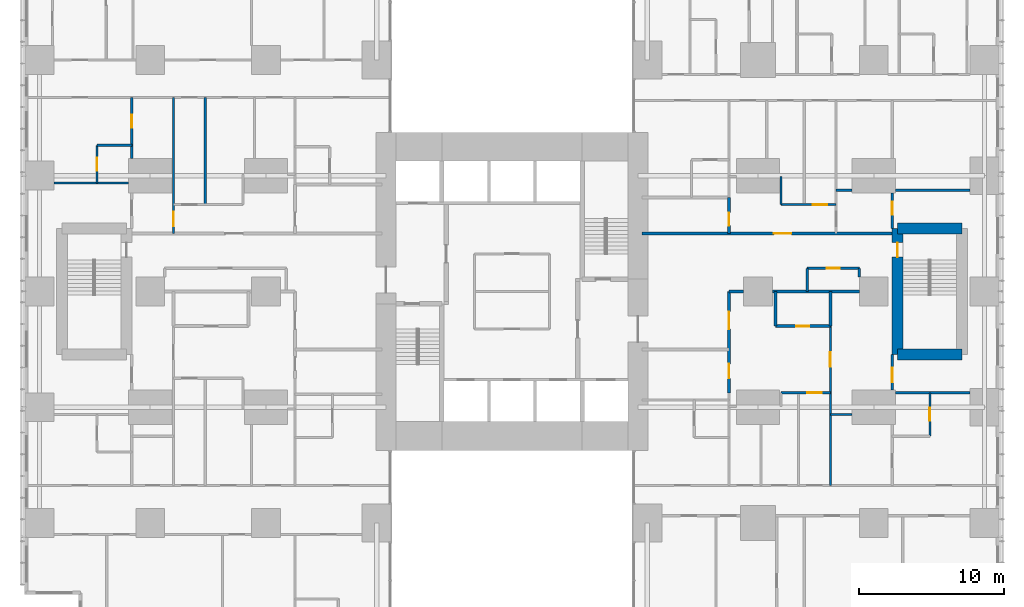
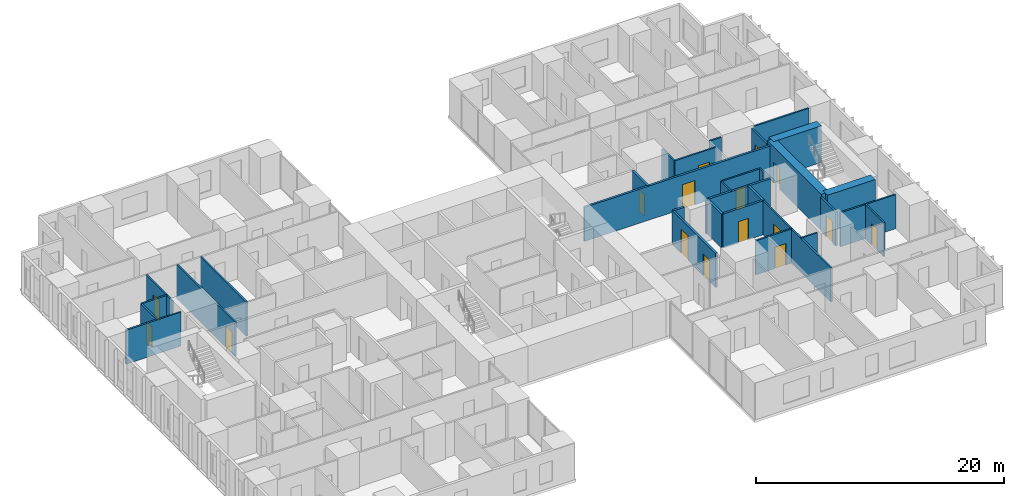
# One storey, part 16 of 21: 31 walls, 16 doors, 16 openings.
"""IFC4 building model written with IfcOpenShell, lengths in metres."""

from ifc_helpers import new_model, si_unit, direction, frame, frame_2d, origin, place, context, subcontext, project, spatial, rectangle, extrude, material, layer, layer_set, type_object, element, fill, save


model = new_model("IFC4")

# Units and contexts
model_context = context("Model", 3, precision=1e-05, world=origin(), true_north=direction((0.0, 1.0)))
body_context = subcontext(model_context, "Body", "Model", "MODEL_VIEW")
ifc_project = project(units=[si_unit("LENGTHUNIT", "METRE"), si_unit("AREAUNIT", "SQUARE_METRE"), si_unit("VOLUMEUNIT", "CUBIC_METRE"), si_unit("PLANEANGLEUNIT", "RADIAN"), si_unit("MASSUNIT", "GRAM", prefix="KILO")], contexts=[model_context])

# Site, building, storey
site_placement = place(None, origin())
site = spatial("IfcSite", under=ifc_project, at=site_placement, CompositionType="ELEMENT")
building_placement = place(site_placement, origin())
building = spatial("IfcBuilding", under=site, at=building_placement, Name="Cleftline Residences", CompositionType="ELEMENT")
storey_placement = place(building_placement, frame((0.0, 0.0, 58.39990234375)))
storey = spatial("IfcBuildingStorey", under=building, at=storey_placement, Name="L14", CompositionType="ELEMENT", Elevation=58.39990234375)

# Wall, opening, door
ifc_material_1 = material(Name="Concrete blockwork, fire rated", Category="masonry")
ifc_layer_1 = layer(ifc_material_1, 0.199951171875)
ifc_layer_set_1 = layer_set([ifc_layer_1], Name="FIRE WALL 200")
wall_type_1 = type_object("IfcWallType", Name="FIRE WALL 200", PredefinedType="PARTITIONING", material=ifc_layer_set_1)
wall_1_placement = place(storey_placement, frame((51.199951171875, 21.60009765625, 0.0), z_axis=(0.0, 0.0, 1.0), x_axis=(1.0, 0.0, 0.0)))
wall_1 = element("IfcWall", 1, at=wall_1_placement, inside=storey, type_object=wall_type_1, Name="Fire separating wall", PredefinedType="PARTITIONING", context=body_context, shape_type="SweptSolid", body=[
    extrude(rectangle(XDim=3.800048828125, YDim=0.199951171875, at=frame_2d((1.89990234375, 0.0))), origin(), (0.0, 0.0, 1.0), 3.35009765625),
])
opening_1_placement = place(wall_1_placement, frame((1.449951171875, 0.0, 0.0)))
opening_1 = element("IfcOpeningElement", 2, at=opening_1_placement, cuts=wall_1, Name="Opening D1F30", PredefinedType="OPENING", context=body_context, shape_type="SweptSolid", body=[
    extrude(rectangle(XDim=0.89990234375, YDim=2.10009765625, at=frame_2d((0.449951171875, 1.050048828125))), frame((0.0, 0.10986328125, 0.0), z_axis=(0.0, -1.0, 0.0), x_axis=(1.0, 0.0, 0.0)), (0.0, 0.0, 1.0), 0.219970703125),
])
ifc_material_2 = material(Name="Timber veneer on solid core", Category="wood")
door_type_1 = type_object("IfcDoorType", Name="DOOR 900X2100 EI 30", OperationType="SINGLE_SWING_LEFT", PredefinedType="DOOR", material=ifc_material_2)
door_1_placement = place(opening_1_placement, origin())
door_1 = element("IfcDoor", 3, at=door_1_placement, inside=storey, type_object=door_type_1, Name="Door to cloakroom wc", OperationType="SINGLE_SWING_LEFT", OverallHeight=2.10009765625, OverallWidth=0.89990234375, PredefinedType="DOOR", context=body_context, shape_type="SweptSolid", body=[
    extrude(rectangle(XDim=0.89990234375, YDim=2.10009765625, at=frame_2d((0.449951171875, 1.050048828125))), frame((0.0, 0.02490234375, 0.0), z_axis=(0.0, -1.0, 0.0), x_axis=(1.0, 0.0, 0.0)), (0.0, 0.0, 1.0), 0.050048828125),
])
fill(opening_1, door_1)

# Walls
wall_2_placement = place(storey_placement, frame((48.0, 24.0, 0.0), z_axis=(0.0, 0.0, 1.0), x_axis=(1.0, 0.0, 0.0)))
element("IfcWall", 4, at=wall_2_placement, inside=storey, type_object=wall_type_1, Name="Fire separating wall", PredefinedType="PARTITIONING", context=body_context, shape_type="SweptSolid", body=[
    extrude(rectangle(XDim=1.0, YDim=0.199951171875, at=frame_2d((0.5, 0.0))), origin(), (0.0, 0.0, 1.0), 3.35009765625),
])
wall_3_placement = place(storey_placement, frame((51.0, 24.0, 0.0), z_axis=(0.0, 0.0, 1.0), x_axis=(1.0, 0.0, 0.0)))
element("IfcWall", 5, at=wall_3_placement, inside=storey, type_object=wall_type_1, Name="Fire separating wall", PredefinedType="PARTITIONING", context=body_context, shape_type="SweptSolid", body=[
    extrude(rectangle(XDim=6.0, YDim=0.199951171875, at=frame_2d((3.0, 0.0))), origin(), (0.0, 0.0, 1.0), 3.35009765625),
])

# Wall, opening, door
wall_4_placement = place(storey_placement, frame((42.0, 28.0, 0.0), z_axis=(0.0, 0.0, 1.0), x_axis=(1.0, 0.0, 0.0)))
wall_4 = element("IfcWall", 6, at=wall_4_placement, inside=storey, type_object=wall_type_1, Name="Fire separating wall", PredefinedType="PARTITIONING", context=body_context, shape_type="SweptSolid", body=[
    extrude(rectangle(XDim=17.27490234375, YDim=0.199951171875, at=frame_2d((8.637451171875, 0.0))), origin(), (0.0, 0.0, 1.0), 3.35009765625),
])
opening_2_placement = place(wall_4_placement, frame((9.10009765625, 0.0, 0.0)))
opening_2 = element("IfcOpeningElement", 7, at=opening_2_placement, cuts=wall_4, Name="Opening D4", PredefinedType="OPENING", context=body_context, shape_type="SweptSolid", body=[
    extrude(rectangle(XDim=1.199951171875, YDim=2.39990234375, at=frame_2d((0.60009765625, 1.199951171875))), frame((0.0, 0.10986328125, 0.0), z_axis=(0.0, -1.0, 0.0), x_axis=(1.0, 0.0, 0.0)), (0.0, 0.0, 1.0), 0.219970703125),
])
ifc_material_3 = material(Name="Timber veneer on solid core", Category="wood")
door_type_2 = type_object("IfcDoorType", Name="APARTMENT ENTRANCE DOOR 1200X2400", OperationType="SINGLE_SWING_RIGHT", PredefinedType="DOOR", material=ifc_material_3)
door_2_placement = place(opening_2_placement, origin())
door_2 = element("IfcDoor", 8, at=door_2_placement, inside=storey, type_object=door_type_2, Name="Door to residence entrance foyer", OperationType="SINGLE_SWING_LEFT", OverallHeight=2.39990234375, OverallWidth=1.199951171875, PredefinedType="DOOR", context=body_context, shape_type="SweptSolid", body=[
    extrude(rectangle(XDim=1.199951171875, YDim=2.39990234375, at=frame_2d((0.60009765625, 1.199951171875))), frame((0.0, 0.02490234375, 0.0), z_axis=(0.0, -1.0, 0.0), x_axis=(1.0, 0.0, 0.0)), (0.0, 0.0, 1.0), 0.050048828125),
])
fill(opening_2, door_2)

# Wall, openings, doors
wall_5_placement = place(storey_placement, frame((48.0, 17.0, 0.0), z_axis=(0.0, 0.0, 1.0), x_axis=(0.0, 1.0, 0.0)))
wall_5 = element("IfcWall", 9, at=wall_5_placement, inside=storey, type_object=wall_type_1, Name="Fire separating wall", PredefinedType="PARTITIONING", context=body_context, shape_type="SweptSolid", body=[
    extrude(rectangle(XDim=7.0, YDim=0.199951171875, at=frame_2d((3.5, 0.0))), origin(), (0.0, 0.0, 1.0), 3.35009765625),
])
opening_3_placement = place(wall_5_placement, frame((4.39990234375, 0.0, 0.0)))
opening_3 = element("IfcOpeningElement", 10, at=opening_3_placement, cuts=wall_5, Name="Opening D4", PredefinedType="OPENING", context=body_context, shape_type="SweptSolid", body=[
    extrude(rectangle(XDim=1.199951171875, YDim=2.39990234375, at=frame_2d((0.60009765625, 1.199951171875))), frame((0.0, 0.10986328125, 0.0), z_axis=(0.0, -1.0, 0.0), x_axis=(1.0, 0.0, 0.0)), (0.0, 0.0, 1.0), 0.219970703125),
])
opening_4_placement = place(wall_5_placement, frame((1.0, 0.0, 0.0)))
opening_4 = element("IfcOpeningElement", 11, at=opening_4_placement, cuts=wall_5, Name="Opening D2F30", PredefinedType="OPENING", context=body_context, shape_type="SweptSolid", body=[
    extrude(rectangle(XDim=1.0, YDim=2.10009765625, at=frame_2d((0.5, 1.050048828125))), frame((0.0, 0.10986328125, 0.0), z_axis=(0.0, -1.0, 0.0), x_axis=(1.0, 0.0, 0.0)), (0.0, 0.0, 1.0), 0.219970703125),
])
door_3_placement = place(opening_3_placement, origin())
door_3 = element("IfcDoor", 12, at=door_3_placement, inside=storey, type_object=door_type_2, Name="Door to residence entrance foyer", OperationType="SINGLE_SWING_LEFT", OverallHeight=2.39990234375, OverallWidth=1.199951171875, PredefinedType="DOOR", context=body_context, shape_type="SweptSolid", body=[
    extrude(rectangle(XDim=1.199951171875, YDim=2.39990234375, at=frame_2d((0.60009765625, 1.199951171875))), frame((0.0, 0.02490234375, 0.0), z_axis=(0.0, -1.0, 0.0), x_axis=(1.0, 0.0, 0.0)), (0.0, 0.0, 1.0), 0.050048828125),
])
fill(opening_3, door_3)
ifc_material_4 = material(Name="Timber veneer on solid core", Category="wood")
door_type_3 = type_object("IfcDoorType", Name="DOOR 1000X2100 EI 30", OperationType="SINGLE_SWING_LEFT", PredefinedType="DOOR", material=ifc_material_4)
door_4_placement = place(opening_4_placement, origin())
door_4 = element("IfcDoor", 13, at=door_4_placement, inside=storey, type_object=door_type_3, Name="Door to wet kitchen", OperationType="SINGLE_SWING_RIGHT", OverallHeight=2.10009765625, OverallWidth=1.0, PredefinedType="DOOR", context=body_context, shape_type="SweptSolid", body=[
    extrude(rectangle(XDim=1.0, YDim=2.10009765625, at=frame_2d((0.5, 1.050048828125))), frame((0.0, 0.02490234375, 0.0), z_axis=(0.0, -1.0, 0.0), x_axis=(1.0, 0.0, 0.0)), (0.0, 0.0, 1.0), 0.050048828125),
])
fill(opening_4, door_4)

# Wall, opening, door
wall_6_placement = place(storey_placement, frame((48.0, 28.0, 0.0), z_axis=(0.0, 0.0, 1.0), x_axis=(0.0, 1.0, 0.0)))
wall_6 = element("IfcWall", 14, at=wall_6_placement, inside=storey, type_object=wall_type_1, Name="Fire separating wall", PredefinedType="PARTITIONING", context=body_context, shape_type="SweptSolid", body=[
    extrude(rectangle(XDim=2.5, YDim=0.199951171875, at=frame_2d((1.25, 0.0))), origin(), (0.0, 0.0, 1.0), 3.35009765625),
])
opening_5_placement = place(wall_6_placement, frame((0.550048828125, 0.0, 0.0)))
opening_5 = element("IfcOpeningElement", 15, at=opening_5_placement, cuts=wall_6, Name="Opening D1F30", PredefinedType="OPENING", context=body_context, shape_type="SweptSolid", body=[
    extrude(rectangle(XDim=0.89990234375, YDim=2.10009765625, at=frame_2d((0.449951171875, 1.050048828125))), frame((0.0, 0.10986328125, 0.0), z_axis=(0.0, -1.0, 0.0), x_axis=(1.0, 0.0, 0.0)), (0.0, 0.0, 1.0), 0.219970703125),
])
door_5_placement = place(opening_5_placement, origin())
door_5 = element("IfcDoor", 16, at=door_5_placement, inside=storey, type_object=door_type_1, Name="Door to laundry and wc", OperationType="SINGLE_SWING_RIGHT", OverallHeight=2.10009765625, OverallWidth=0.89990234375, PredefinedType="DOOR", context=body_context, shape_type="SweptSolid", body=[
    extrude(rectangle(XDim=0.89990234375, YDim=2.10009765625, at=frame_2d((0.449951171875, 1.050048828125))), frame((0.0, 0.02490234375, 0.0), z_axis=(0.0, -1.0, 0.0), x_axis=(1.0, 0.0, 0.0)), (0.0, 0.0, 1.0), 0.050048828125),
])
fill(opening_5, door_5)

# Walls
for number, where, z_axis, x_axis, name in (
    (17, (51.199951171875, 21.60009765625, 0.0), (0.0, 0.0, 1.0), (0.0, 1.0, 0.0), "Fire separating wall"),
    (18, (55.0, 21.60009765625, 0.0), (0.0, 0.0, 1.0), (0.0, 1.0, 0.0), "Fire separating wall"),
):
    element("IfcWall", number, at=place(storey_placement, frame(where, z_axis=z_axis, x_axis=x_axis)), inside=storey, type_object=wall_type_1, Name=name, PredefinedType="PARTITIONING", context=body_context, shape_type="SweptSolid", body=[
        extrude(rectangle(XDim=2.39990234375, YDim=0.199951171875, at=frame_2d((1.199951171875, 0.0))), origin(), (0.0, 0.0, 1.0), 3.35009765625),
    ])
ifc_material_5 = material(Name="Gypsum board on steel studs", Category="steel")
ifc_layer_2 = layer(ifc_material_5, 0.14990234375)
ifc_layer_set_2 = layer_set([ifc_layer_2], Name="PARTITION 150")
wall_type_2 = type_object("IfcWallType", Name="PARTITION 150", PredefinedType="PARTITIONING", material=ifc_layer_set_2)
wall_7_placement = place(storey_placement, frame((55.0, 15.5, 0.0), z_axis=(0.0, 0.0, 1.0), x_axis=(1.0, 0.0, 0.0)))
element("IfcWall", 19, at=wall_7_placement, inside=storey, type_object=wall_type_2, Name="Partition", PredefinedType="PARTITIONING", context=body_context, shape_type="SweptSolid", body=[
    extrude(rectangle(XDim=1.5, YDim=0.14990234375, at=frame_2d((0.75, 0.0))), origin(), (0.0, 0.0, 1.0), 3.35009765625),
])

# Wall, opening, door
wall_8_placement = place(storey_placement, frame((51.60009765625, 17.0, 0.0), z_axis=(0.0, 0.0, 1.0), x_axis=(1.0, 0.0, 0.0)))
wall_8 = element("IfcWall", 20, at=wall_8_placement, inside=storey, type_object=wall_type_2, Name="Partition", PredefinedType="PARTITIONING", context=body_context, shape_type="SweptSolid", body=[
    extrude(rectangle(XDim=3.39990234375, YDim=0.14990234375, at=frame_2d((1.699951171875, 0.0))), origin(), (0.0, 0.0, 1.0), 3.35009765625),
])
opening_6_placement = place(wall_8_placement, frame((1.800048828125, 0.0, 0.0)))
opening_6 = element("IfcOpeningElement", 21, at=opening_6_placement, cuts=wall_8, Name="Opening D2", PredefinedType="OPENING", context=body_context, shape_type="SweptSolid", body=[
    extrude(rectangle(XDim=1.0, YDim=2.10009765625, at=frame_2d((0.5, 1.050048828125))), frame((0.0, 0.0849609375, 0.0), z_axis=(0.0, -1.0, 0.0), x_axis=(1.0, 0.0, 0.0)), (0.0, 0.0, 1.0), 0.169921875),
])
ifc_material_6 = material(Name="Timber veneer on solid core", Category="wood")
door_type_4 = type_object("IfcDoorType", Name="DOOR 1000X2100", OperationType="SINGLE_SWING_LEFT", PredefinedType="DOOR", material=ifc_material_6)
door_6_placement = place(opening_6_placement, origin())
door_6 = element("IfcDoor", 22, at=door_6_placement, inside=storey, type_object=door_type_4, Name="Door to residence passage", OperationType="SINGLE_SWING_LEFT", OverallHeight=2.10009765625, OverallWidth=1.0, PredefinedType="DOOR", context=body_context, shape_type="SweptSolid", body=[
    extrude(rectangle(XDim=1.0, YDim=2.10009765625, at=frame_2d((0.5, 1.050048828125))), frame((0.0, 0.02490234375, 0.0), z_axis=(0.0, -1.0, 0.0), x_axis=(1.0, 0.0, 0.0)), (0.0, 0.0, 1.0), 0.050048828125),
])
fill(opening_6, door_6)

# Wall
wall_9_placement = place(storey_placement, frame((59.5, 17.0, 0.0), z_axis=(0.0, 0.0, 1.0), x_axis=(1.0, 0.0, 0.0)))
element("IfcWall", 23, at=wall_9_placement, inside=storey, type_object=wall_type_2, Name="Partition", PredefinedType="PARTITIONING", context=body_context, shape_type="SweptSolid", body=[
    extrude(rectangle(XDim=5.14990234375, YDim=0.14990234375, at=frame_2d((2.574951171875, 0.0))), origin(), (0.0, 0.0, 1.0), 3.35009765625),
])

# Wall, opening, door
wall_10_placement = place(storey_placement, frame((53.39990234375, 25.60009765625, 0.0), z_axis=(0.0, 0.0, 1.0), x_axis=(1.0, 0.0, 0.0)))
wall_10 = element("IfcWall", 24, at=wall_10_placement, inside=storey, type_object=wall_type_2, Name="Partition", PredefinedType="PARTITIONING", context=body_context, shape_type="SweptSolid", body=[
    extrude(rectangle(XDim=3.60009765625, YDim=0.14990234375, at=frame_2d((1.800048828125, 0.0))), origin(), (0.0, 0.0, 1.0), 3.35009765625),
])
opening_7_placement = place(wall_10_placement, frame((1.35009765625, 0.0, 0.0)))
opening_7 = element("IfcOpeningElement", 25, at=opening_7_placement, cuts=wall_10, Name="Opening D1", PredefinedType="OPENING", context=body_context, shape_type="SweptSolid", body=[
    extrude(rectangle(XDim=0.89990234375, YDim=2.10009765625, at=frame_2d((0.449951171875, 1.050048828125))), frame((0.0, 0.0849609375, 0.0), z_axis=(0.0, -1.0, 0.0), x_axis=(1.0, 0.0, 0.0)), (0.0, 0.0, 1.0), 0.169921875),
])
ifc_material_7 = material(Name="Timber veneer on solid core", Category="wood")
door_type_5 = type_object("IfcDoorType", Name="DOOR 900X2100", OperationType="SINGLE_SWING_LEFT", PredefinedType="DOOR", material=ifc_material_7)
door_7_placement = place(opening_7_placement, origin())
door_7 = element("IfcDoor", 26, at=door_7_placement, inside=storey, type_object=door_type_5, Name="Door to residents' storage room", OperationType="SINGLE_SWING_LEFT", OverallHeight=2.10009765625, OverallWidth=0.89990234375, PredefinedType="DOOR", context=body_context, shape_type="SweptSolid", body=[
    extrude(rectangle(XDim=0.89990234375, YDim=2.10009765625, at=frame_2d((0.449951171875, 1.050048828125))), frame((0.0, 0.02490234375, 0.0), z_axis=(0.0, -1.0, 0.0), x_axis=(1.0, 0.0, 0.0)), (0.0, 0.0, 1.0), 0.050048828125),
])
fill(opening_7, door_7)

wall_11_placement = place(storey_placement, frame((51.60009765625, 30.0, 0.0), z_axis=(0.0, 0.0, 1.0), x_axis=(1.0, 0.0, 0.0)))
wall_11 = element("IfcWall", 27, at=wall_11_placement, inside=storey, type_object=wall_type_2, Name="Partition", PredefinedType="PARTITIONING", context=body_context, shape_type="SweptSolid", body=[
    extrude(rectangle(XDim=3.7998046875, YDim=0.14990234375, at=frame_2d((1.89990234375, 0.0))), origin(), (0.0, 0.0, 1.0), 3.35009765625),
])
opening_8_placement = place(wall_11_placement, frame((2.199951171875, 0.0, 0.0)))
opening_8 = element("IfcOpeningElement", 28, at=opening_8_placement, cuts=wall_11, Name="Opening D2", PredefinedType="OPENING", context=body_context, shape_type="SweptSolid", body=[
    extrude(rectangle(XDim=1.0, YDim=2.10009765625, at=frame_2d((0.5, 1.050048828125))), frame((0.0, 0.0849609375, 0.0), z_axis=(0.0, -1.0, 0.0), x_axis=(1.0, 0.0, 0.0)), (0.0, 0.0, 1.0), 0.169921875),
])
door_8_placement = place(opening_8_placement, origin())
door_8 = element("IfcDoor", 29, at=door_8_placement, inside=storey, type_object=door_type_4, Name="Door to residence passage", OperationType="SINGLE_SWING_LEFT", OverallHeight=2.10009765625, OverallWidth=1.0, PredefinedType="DOOR", context=body_context, shape_type="SweptSolid", body=[
    extrude(rectangle(XDim=1.0, YDim=2.10009765625, at=frame_2d((0.5, 1.050048828125))), frame((0.0, 0.02490234375, 0.0), z_axis=(0.0, -1.0, 0.0), x_axis=(1.0, 0.0, 0.0)), (0.0, 0.0, 1.0), 0.050048828125),
])
fill(opening_8, door_8)

# Walls
wall_12_placement = place(storey_placement, frame((55.39990234375, 31.0, 0.0), z_axis=(0.0, 0.0, 1.0), x_axis=(1.0, 0.0, 0.0)))
element("IfcWall", 30, at=wall_12_placement, inside=storey, type_object=wall_type_2, Name="Partition", PredefinedType="PARTITIONING", context=body_context, shape_type="SweptSolid", body=[
    extrude(rectangle(XDim=1.10009765625, YDim=0.14990234375, at=frame_2d((0.550048828125, 0.0))), origin(), (0.0, 0.0, 1.0), 3.35009765625),
])
for number, where, z_axis, x_axis, name in (
    (31, (59.5, 31.0, 0.0), (0.0, 0.0, 1.0), (1.0, 0.0, 0.0), "Partition"),
    (32, (1.35009765625, 31.5, 0.0), (0.0, 0.0, 1.0), (1.0, 0.0, 0.0), "Partition"),
):
    element("IfcWall", number, at=place(storey_placement, frame(where, z_axis=z_axis, x_axis=x_axis)), inside=storey, type_object=wall_type_2, Name=name, PredefinedType="PARTITIONING", context=body_context, shape_type="SweptSolid", body=[
        extrude(rectangle(XDim=5.14990234375, YDim=0.14990234375, at=frame_2d((2.574951171875, 0.0))), origin(), (0.0, 0.0, 1.0), 3.35009765625),
    ])
wall_13_placement = place(storey_placement, frame((4.324951171875, 34.10009765625, 0.0), z_axis=(0.0, 0.0, 1.0), x_axis=(1.0, 0.0, 0.0)))
element("IfcWall", 33, at=wall_13_placement, inside=storey, type_object=wall_type_2, Name="Partition", PredefinedType="PARTITIONING", context=body_context, shape_type="SweptSolid", body=[
    extrude(rectangle(XDim=2.400146484375, YDim=0.14990234375, at=frame_2d((1.2001953125, 0.0))), origin(), (0.0, 0.0, 1.0), 3.35009765625),
])

# Wall, opening, door
wall_14_placement = place(storey_placement, frame((4.324951171875, 31.5, 0.0), z_axis=(0.0, 0.0, 1.0), x_axis=(0.0, 1.0, 0.0)))
wall_14 = element("IfcWall", 34, at=wall_14_placement, inside=storey, type_object=wall_type_2, Name="Partition", PredefinedType="PARTITIONING", context=body_context, shape_type="SweptSolid", body=[
    extrude(rectangle(XDim=2.60009765625, YDim=0.14990234375, at=frame_2d((1.300048828125, 0.0))), origin(), (0.0, 0.0, 1.0), 3.35009765625),
])
opening_9_placement = place(wall_14_placement, frame((0.85009765625, 0.0, 0.0)))
opening_9 = element("IfcOpeningElement", 35, at=opening_9_placement, cuts=wall_14, Name="Opening D1", PredefinedType="OPENING", context=body_context, shape_type="SweptSolid", body=[
    extrude(rectangle(XDim=0.89990234375, YDim=2.10009765625, at=frame_2d((0.449951171875, 1.050048828125))), frame((0.0, 0.0849609375, 0.0), z_axis=(0.0, -1.0, 0.0), x_axis=(1.0, 0.0, 0.0)), (0.0, 0.0, 1.0), 0.169921875),
])
door_9_placement = place(opening_9_placement, origin())
door_9 = element("IfcDoor", 36, at=door_9_placement, inside=storey, type_object=door_type_5, Name="Door to master bathroom", OperationType="SINGLE_SWING_LEFT", OverallHeight=2.10009765625, OverallWidth=0.89990234375, PredefinedType="DOOR", context=body_context, shape_type="SweptSolid", body=[
    extrude(rectangle(XDim=0.89990234375, YDim=2.10009765625, at=frame_2d((0.449951171875, 1.050048828125))), frame((0.0, 0.02490234375, 0.0), z_axis=(0.0, -1.0, 0.0), x_axis=(1.0, 0.0, 0.0)), (0.0, 0.0, 1.0), 0.050048828125),
])
fill(opening_9, door_9)

wall_15_placement = place(storey_placement, frame((6.72509765625, 33.199951171875, 0.0), z_axis=(0.0, 0.0, 1.0), x_axis=(0.0, 1.0, 0.0)))
wall_15 = element("IfcWall", 37, at=wall_15_placement, inside=storey, type_object=wall_type_2, Name="Partition", PredefinedType="PARTITIONING", context=body_context, shape_type="SweptSolid", body=[
    extrude(rectangle(XDim=4.199951171875, YDim=0.14990234375, at=frame_2d((2.10009765625, 0.0))), origin(), (0.0, 0.0, 1.0), 3.35009765625),
])
opening_10_placement = place(wall_15_placement, frame((2.10009765625, 0.0, 0.0)))
opening_10 = element("IfcOpeningElement", 38, at=opening_10_placement, cuts=wall_15, Name="Opening D1", PredefinedType="OPENING", context=body_context, shape_type="SweptSolid", body=[
    extrude(rectangle(XDim=0.89990234375, YDim=2.10009765625, at=frame_2d((0.449951171875, 1.050048828125))), frame((0.0, 0.0849609375, 0.0), z_axis=(0.0, -1.0, 0.0), x_axis=(1.0, 0.0, 0.0)), (0.0, 0.0, 1.0), 0.169921875),
])
door_10_placement = place(opening_10_placement, origin())
door_10 = element("IfcDoor", 39, at=door_10_placement, inside=storey, type_object=door_type_5, Name="Door to master dressing room", OperationType="SINGLE_SWING_LEFT", OverallHeight=2.10009765625, OverallWidth=0.89990234375, PredefinedType="DOOR", context=body_context, shape_type="SweptSolid", body=[
    extrude(rectangle(XDim=0.89990234375, YDim=2.10009765625, at=frame_2d((0.449951171875, 1.050048828125))), frame((0.0, 0.02490234375, 0.0), z_axis=(0.0, -1.0, 0.0), x_axis=(1.0, 0.0, 0.0)), (0.0, 0.0, 1.0), 0.050048828125),
])
fill(opening_10, door_10)

wall_16_placement = place(storey_placement, frame((9.60009765625, 28.0, 0.0), z_axis=(0.0, 0.0, 1.0), x_axis=(0.0, 1.0, 0.0)))
wall_16 = element("IfcWall", 40, at=wall_16_placement, inside=storey, type_object=wall_type_2, Name="Partition", PredefinedType="PARTITIONING", context=body_context, shape_type="SweptSolid", body=[
    extrude(rectangle(XDim=9.39990234375, YDim=0.14990234375, at=frame_2d((4.699951171875, 0.0))), origin(), (0.0, 0.0, 1.0), 3.35009765625),
])
opening_11_placement = place(wall_16_placement, frame((0.5, 0.0, 0.0)))
opening_11 = element("IfcOpeningElement", 41, at=opening_11_placement, cuts=wall_16, Name="Opening D2F30", PredefinedType="OPENING", context=body_context, shape_type="SweptSolid", body=[
    extrude(rectangle(XDim=1.0, YDim=2.10009765625, at=frame_2d((0.5, 1.050048828125))), frame((0.0, 0.0849609375, 0.0), z_axis=(0.0, -1.0, 0.0), x_axis=(1.0, 0.0, 0.0)), (0.0, 0.0, 1.0), 0.169921875),
])
door_11_placement = place(opening_11_placement, origin())
door_11 = element("IfcDoor", 42, at=door_11_placement, inside=storey, type_object=door_type_3, Name="Door to residence lobby", OperationType="SINGLE_SWING_RIGHT", OverallHeight=2.10009765625, OverallWidth=1.0, PredefinedType="DOOR", context=body_context, shape_type="SweptSolid", body=[
    extrude(rectangle(XDim=1.0, YDim=2.10009765625, at=frame_2d((0.5, 1.050048828125))), frame((0.0, 0.02490234375, 0.0), z_axis=(0.0, -1.0, 0.0), x_axis=(1.0, 0.0, 0.0)), (0.0, 0.0, 1.0), 0.050048828125),
])
fill(opening_11, door_11)

# Walls
wall_17_placement = place(storey_placement, frame((11.800048828125, 30.0, 0.0), z_axis=(0.0, 0.0, 1.0), x_axis=(0.0, 1.0, 0.0)))
element("IfcWall", 43, at=wall_17_placement, inside=storey, type_object=wall_type_2, Name="Partition", PredefinedType="PARTITIONING", context=body_context, shape_type="SweptSolid", body=[
    extrude(rectangle(XDim=7.39990234375, YDim=0.14990234375, at=frame_2d((3.699951171875, 0.0))), origin(), (0.0, 0.0, 1.0), 3.35009765625),
])
wall_18_placement = place(storey_placement, frame((51.60009765625, 30.0, 0.0), z_axis=(0.0, 0.0, 1.0), x_axis=(0.0, 1.0, 0.0)))
element("IfcWall", 44, at=wall_18_placement, inside=storey, type_object=wall_type_2, Name="Partition", PredefinedType="PARTITIONING", context=body_context, shape_type="SweptSolid", body=[
    extrude(rectangle(XDim=1.949951171875, YDim=0.14990234375, at=frame_2d((0.97509765625, 0.0))), origin(), (0.0, 0.0, 1.0), 3.35009765625),
])
wall_19_placement = place(storey_placement, frame((53.39990234375, 24.0, 0.0), z_axis=(0.0, 0.0, 1.0), x_axis=(0.0, 1.0, 0.0)))
element("IfcWall", 45, at=wall_19_placement, inside=storey, type_object=wall_type_2, Name="Partition", PredefinedType="PARTITIONING", context=body_context, shape_type="SweptSolid", body=[
    extrude(rectangle(XDim=1.60009765625, YDim=0.14990234375, at=frame_2d((0.800048828125, 0.0))), origin(), (0.0, 0.0, 1.0), 3.35009765625),
])

# Wall, opening, door
wall_20_placement = place(storey_placement, frame((55.0, 10.60009765625, 0.0), z_axis=(0.0, 0.0, 1.0), x_axis=(0.0, 1.0, 0.0)))
wall_20 = element("IfcWall", 46, at=wall_20_placement, inside=storey, type_object=wall_type_2, Name="Partition", PredefinedType="PARTITIONING", context=body_context, shape_type="SweptSolid", body=[
    extrude(rectangle(XDim=11.0, YDim=0.14990234375, at=frame_2d((5.5, 0.0))), origin(), (0.0, 0.0, 1.0), 3.35009765625),
])
opening_12_placement = place(wall_20_placement, frame((8.199951171875, 0.0, 0.0)))
opening_12 = element("IfcOpeningElement", 47, at=opening_12_placement, cuts=wall_20, Name="Opening D2F30", PredefinedType="OPENING", context=body_context, shape_type="SweptSolid", body=[
    extrude(rectangle(XDim=1.0, YDim=2.10009765625, at=frame_2d((0.5, 1.050048828125))), frame((0.0, 0.0849609375, 0.0), z_axis=(0.0, -1.0, 0.0), x_axis=(1.0, 0.0, 0.0)), (0.0, 0.0, 1.0), 0.169921875),
])
door_12_placement = place(opening_12_placement, origin())
door_12 = element("IfcDoor", 48, at=door_12_placement, inside=storey, type_object=door_type_3, Name="Door to residence lobby", OperationType="SINGLE_SWING_LEFT", OverallHeight=2.10009765625, OverallWidth=1.0, PredefinedType="DOOR", context=body_context, shape_type="SweptSolid", body=[
    extrude(rectangle(XDim=1.0, YDim=2.10009765625, at=frame_2d((0.5, 1.050048828125))), frame((0.0, 0.02490234375, 0.0), z_axis=(0.0, -1.0, 0.0), x_axis=(1.0, 0.0, 0.0)), (0.0, 0.0, 1.0), 0.050048828125),
])
fill(opening_12, door_12)

# Wall
wall_21_placement = place(storey_placement, frame((57.0, 25.0, 0.0), z_axis=(0.0, 0.0, 1.0), x_axis=(0.0, 1.0, 0.0)))
element("IfcWall", 49, at=wall_21_placement, inside=storey, type_object=wall_type_2, Name="Partition", PredefinedType="PARTITIONING", context=body_context, shape_type="SweptSolid", body=[
    extrude(rectangle(XDim=0.60009765625, YDim=0.14990234375, at=frame_2d((0.300048828125, 0.0))), origin(), (0.0, 0.0, 1.0), 3.35009765625),
])

# Wall, opening, door
wall_22_placement = place(storey_placement, frame((59.27490234375, 17.199951171875, 0.0), z_axis=(0.0, 0.0, 1.0), x_axis=(0.0, 1.0, 0.0)))
wall_22 = element("IfcWall", 50, at=wall_22_placement, inside=storey, type_object=wall_type_2, Name="Partition", PredefinedType="PARTITIONING", context=body_context, shape_type="SweptSolid", body=[
    extrude(rectangle(XDim=2.449951171875, YDim=0.14990234375, at=frame_2d((1.22509765625, 0.0))), origin(), (0.0, 0.0, 1.0), 3.35009765625),
])
opening_13_placement = place(wall_22_placement, frame((0.53759765625, 0.0, 0.0)))
opening_13 = element("IfcOpeningElement", 51, at=opening_13_placement, cuts=wall_22, Name="Opening D2", PredefinedType="OPENING", context=body_context, shape_type="SweptSolid", body=[
    extrude(rectangle(XDim=1.0, YDim=2.10009765625, at=frame_2d((0.5, 1.050048828125))), frame((0.0, 0.0849609375, 0.0), z_axis=(0.0, -1.0, 0.0), x_axis=(1.0, 0.0, 0.0)), (0.0, 0.0, 1.0), 0.169921875),
])
door_13_placement = place(opening_13_placement, origin())
door_13 = element("IfcDoor", 52, at=door_13_placement, inside=storey, type_object=door_type_4, Name="Door to altar room", OperationType="SINGLE_SWING_RIGHT", OverallHeight=2.10009765625, OverallWidth=1.0, PredefinedType="DOOR", context=body_context, shape_type="SweptSolid", body=[
    extrude(rectangle(XDim=1.0, YDim=2.10009765625, at=frame_2d((0.5, 1.050048828125))), frame((0.0, 0.02490234375, 0.0), z_axis=(0.0, -1.0, 0.0), x_axis=(1.0, 0.0, 0.0)), (0.0, 0.0, 1.0), 0.050048828125),
])
fill(opening_13, door_13)

wall_23_placement = place(storey_placement, frame((59.27490234375, 28.35009765625, 0.0), z_axis=(0.0, 0.0, 1.0), x_axis=(0.0, 1.0, 0.0)))
wall_23 = element("IfcWall", 53, at=wall_23_placement, inside=storey, type_object=wall_type_2, Name="Partition", PredefinedType="PARTITIONING", context=body_context, shape_type="SweptSolid", body=[
    extrude(rectangle(XDim=2.449951171875, YDim=0.14990234375, at=frame_2d((1.22509765625, 0.0))), origin(), (0.0, 0.0, 1.0), 3.35009765625),
])
opening_14_placement = place(wall_23_placement, frame((0.96240234375, 0.0, 0.0)))
opening_14 = element("IfcOpeningElement", 54, at=opening_14_placement, cuts=wall_23, Name="Opening D1", PredefinedType="OPENING", context=body_context, shape_type="SweptSolid", body=[
    extrude(rectangle(XDim=0.89990234375, YDim=2.10009765625, at=frame_2d((0.449951171875, 1.050048828125))), frame((0.0, 0.0849609375, 0.0), z_axis=(0.0, -1.0, 0.0), x_axis=(1.0, 0.0, 0.0)), (0.0, 0.0, 1.0), 0.169921875),
])
door_14_placement = place(opening_14_placement, origin())
door_14 = element("IfcDoor", 55, at=door_14_placement, inside=storey, type_object=door_type_5, Name="Door to drying loggia", OperationType="SINGLE_SWING_LEFT", OverallHeight=2.10009765625, OverallWidth=0.89990234375, PredefinedType="DOOR", context=body_context, shape_type="SweptSolid", body=[
    extrude(rectangle(XDim=0.89990234375, YDim=2.10009765625, at=frame_2d((0.449951171875, 1.050048828125))), frame((0.0, 0.02490234375, 0.0), z_axis=(0.0, -1.0, 0.0), x_axis=(1.0, 0.0, 0.0)), (0.0, 0.0, 1.0), 0.050048828125),
])
fill(opening_14, door_14)

wall_24_placement = place(storey_placement, frame((61.875, 14.0, 0.0), z_axis=(0.0, 0.0, 1.0), x_axis=(0.0, 1.0, 0.0)))
wall_24 = element("IfcWall", 56, at=wall_24_placement, inside=storey, type_object=wall_type_2, Name="Partition", PredefinedType="PARTITIONING", context=body_context, shape_type="SweptSolid", body=[
    extrude(rectangle(XDim=3.0, YDim=0.14990234375, at=frame_2d((1.5, 0.0))), origin(), (0.0, 0.0, 1.0), 3.35009765625),
])
opening_15_placement = place(wall_24_placement, frame((1.050048828125, 0.0, 0.0)))
opening_15 = element("IfcOpeningElement", 57, at=opening_15_placement, cuts=wall_24, Name="Opening D1", PredefinedType="OPENING", context=body_context, shape_type="SweptSolid", body=[
    extrude(rectangle(XDim=0.89990234375, YDim=2.10009765625, at=frame_2d((0.449951171875, 1.050048828125))), frame((0.0, 0.0849609375, 0.0), z_axis=(0.0, -1.0, 0.0), x_axis=(1.0, 0.0, 0.0)), (0.0, 0.0, 1.0), 0.169921875),
])
door_15_placement = place(opening_15_placement, origin())
door_15 = element("IfcDoor", 58, at=door_15_placement, inside=storey, type_object=door_type_5, Name="Door to master bathroom", OperationType="SINGLE_SWING_LEFT", OverallHeight=2.10009765625, OverallWidth=0.89990234375, PredefinedType="DOOR", context=body_context, shape_type="SweptSolid", body=[
    extrude(rectangle(XDim=0.89990234375, YDim=2.10009765625, at=frame_2d((0.449951171875, 1.050048828125))), frame((0.0, 0.02490234375, 0.0), z_axis=(0.0, -1.0, 0.0), x_axis=(1.0, 0.0, 0.0)), (0.0, 0.0, 1.0), 0.050048828125),
])
fill(opening_15, door_15)

# Walls
ifc_material_8 = material(Name="Concrete B70", Category="concrete")
ifc_layer_3 = layer(ifc_material_8, 0.75)
ifc_layer_set_3 = layer_set([ifc_layer_3], Name="SHEAR WALL 750")
wall_type_3 = type_object("IfcWallType", Name="SHEAR WALL 750", PredefinedType="SHEAR", material=ifc_layer_set_3)
for number, where, z_axis, x_axis, name in (
    (59, (59.64990234375, 19.64990234375, 0.0), (0.0, 0.0, 1.0), (1.0, 0.0, 0.0), "Wing shear wall"),
    (60, (64.10009765625, 28.35009765625, 0.0), (0.0, 0.0, 1.0), (-1.0, 0.0, 0.0), "Wing shear wall"),
):
    element("IfcWall", number, at=place(storey_placement, frame(where, z_axis=z_axis, x_axis=x_axis)), inside=storey, type_object=wall_type_3, Name=name, PredefinedType="SHEAR", context=body_context, shape_type="SweptSolid", body=[
        extrude(rectangle(XDim=4.4501953125, YDim=0.75, at=frame_2d((2.22509765625, 0.0))), origin(), (0.0, 0.0, 1.0), 3.60009765625),
    ])

# Wall, opening, door
wall_25_placement = place(storey_placement, frame((59.64990234375, 28.35009765625, 0.0), z_axis=(0.0, 0.0, 1.0), x_axis=(0.0, -1.0, 0.0)))
wall_25 = element("IfcWall", 61, at=wall_25_placement, inside=storey, type_object=wall_type_3, Name="Wing shear wall", PredefinedType="SHEAR", context=body_context, shape_type="SweptSolid", body=[
    extrude(rectangle(XDim=8.7001953125, YDim=0.75, at=frame_2d((4.35009765625, 0.0))), origin(), (0.0, 0.0, 1.0), 3.60009765625),
])
opening_16_placement = place(wall_25_placement, frame((0.97509765625, 0.0, 0.0)))
opening_16 = element("IfcOpeningElement", 62, at=opening_16_placement, cuts=wall_25, Name="Opening D5", PredefinedType="OPENING", context=body_context, shape_type="SweptSolid", body=[
    extrude(rectangle(XDim=1.0, YDim=2.10009765625, at=frame_2d((0.5, 1.050048828125))), frame((0.0, 0.385009765625, 0.0), z_axis=(0.0, -1.0, 0.0), x_axis=(1.0, 0.0, 0.0)), (0.0, 0.0, 1.0), 0.77001953125),
])
ifc_material_9 = material(Name="Steel", Category="steel")
door_type_6 = type_object("IfcDoorType", Name="STAIR DOOR 1000X2100", OperationType="SINGLE_SWING_LEFT", PredefinedType="DOOR", material=ifc_material_9)
door_16_placement = place(opening_16_placement, origin())
door_16 = element("IfcDoor", 63, at=door_16_placement, inside=storey, type_object=door_type_6, Name="Stair E door", OperationType="SINGLE_SWING_RIGHT", OverallHeight=2.10009765625, OverallWidth=1.0, PredefinedType="DOOR", context=body_context, shape_type="SweptSolid", body=[
    extrude(rectangle(XDim=1.0, YDim=2.10009765625, at=frame_2d((0.5, 1.050048828125))), frame((0.0, 0.02490234375, 0.0), z_axis=(0.0, -1.0, 0.0), x_axis=(1.0, 0.0, 0.0)), (0.0, 0.0, 1.0), 0.050048828125),
])
fill(opening_16, door_16)

save(model, "model.ifc")
